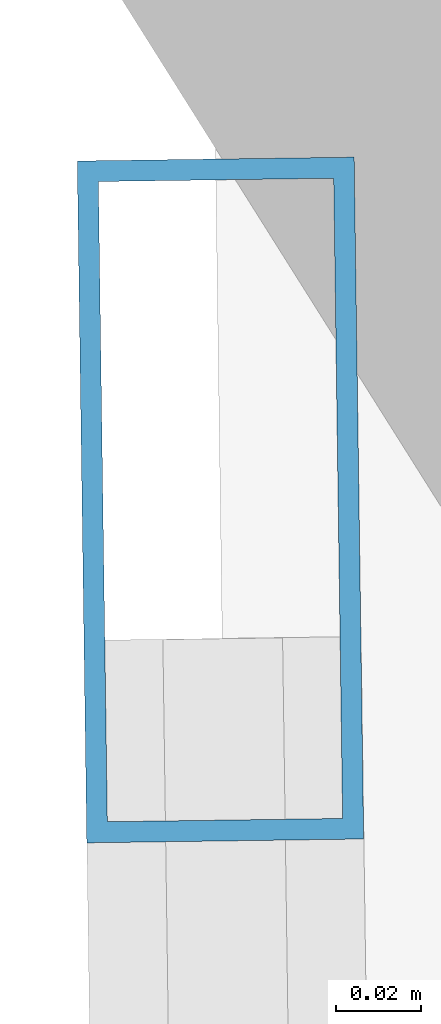
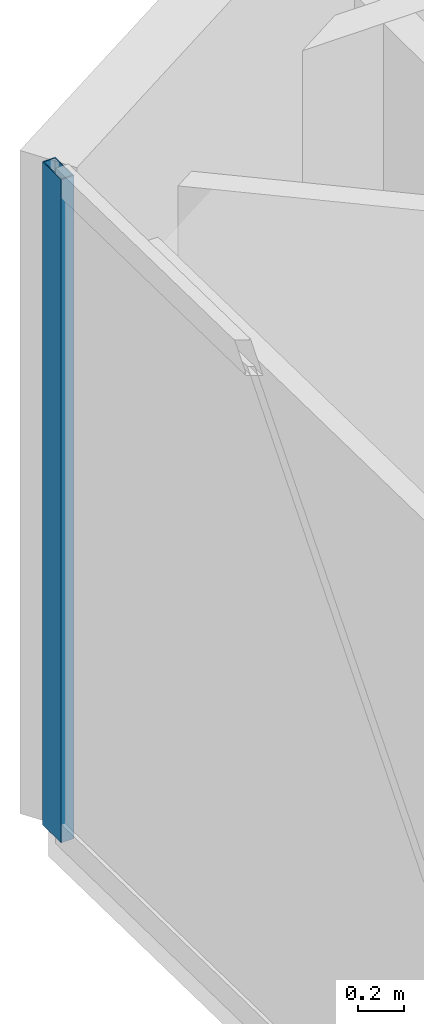
# One storey, part 10 of 20: 1 member, 1 element without a shape of its own.
"""IFC4 building model written with IfcOpenShell, lengths in metres."""

from ifc_helpers import new_model, si_unit, direction, frame, origin, origin_2d, place, context, subcontext, project, spatial, hollow_rectangle, extrude, material, layer, layer_set, material_profile, profile_set, type_object, element, aggregate, save


model = new_model("IFC4")

# Units and contexts
model_context = context("Model", 3, precision=1e-05, world=origin(), true_north=direction((0.0, 1.0)))
body_context = subcontext(model_context, "Body", "Model", "MODEL_VIEW")
ifc_project = project(units=[si_unit("LENGTHUNIT", "METRE"), si_unit("AREAUNIT", "SQUARE_METRE"), si_unit("VOLUMEUNIT", "CUBIC_METRE"), si_unit("PLANEANGLEUNIT", "RADIAN"), si_unit("MASSUNIT", "GRAM", prefix="KILO")], contexts=[model_context])

# Site, building, storey
site_placement = place(None, origin())
site = spatial("IfcSite", under=ifc_project, at=site_placement, CompositionType="ELEMENT")
building_placement = place(site_placement, origin())
building = spatial("IfcBuilding", under=site, at=building_placement, Name="Qianvela Tower", CompositionType="ELEMENT")
storey_placement = place(building_placement, frame((0.0, 0.0, 151.300048828125)))
storey = spatial("IfcBuildingStorey", under=building, at=storey_placement, Name="L38", CompositionType="ELEMENT", Elevation=151.300048828125)

# Curtain wall, member
ifc_material_1 = material(Name="Anodised Architectural Aluminium and Low-E Glass", Category="aluminium")
ifc_layer = layer(ifc_material_1, 0.169921875)
ifc_layer_set = layer_set([ifc_layer], Name="Anodised Architectural Aluminium and Low-E Glass")
curtain_wall_type = type_object("IfcCurtainWallType", Name="CW-COLIV-Z34", PredefinedType="USERDEFINED", material=ifc_layer_set)
curtain_wall_placement = place(storey_placement, origin())
curtain_wall = element("IfcCurtainWall", 1, at=curtain_wall_placement, inside=storey, type_object=curtain_wall_type, Name="L38 CW-COLIV-Z34 Curtain Wall 04A", ObjectType="CURTAIN_WALL_SYSTEM", PredefinedType="USERDEFINED")
ifc_material_2 = material(Name="Anodised Architectural Aluminium 6063-T6", Category="aluminium")
ifc_material_profile = material_profile(ifc_material_2, hollow_rectangle(XDim=0.06494140625, YDim=0.159912109375, WallThickness=0.0048828125, at=origin_2d()), Name="ALU-MULL-65x160")
ifc_profile_set = profile_set([ifc_material_profile], Name="Anodised Architectural Aluminium 6063-T6")
member_type = type_object("IfcMemberType", Name="CW-COLIV-Z34-MULL", PredefinedType="MULLION", material=ifc_profile_set)
member_placement = place(storey_placement, frame((21.440185546875, 38.10546875, 0.0), z_axis=(0.0, 0.0, 1.0), x_axis=(0.999902588043, 0.013957593834, 0.0)))
member = element("IfcMember", 2, at=member_placement, type_object=member_type, Name="CW-4 mullion 1", PredefinedType="MULLION", context=body_context, shape_type="SweptSolid", body=[
    extrude(hollow_rectangle(XDim=0.06494140625, YDim=0.159912109375, WallThickness=0.0048828125, at=origin_2d()), origin(), (0.0, 0.0, 1.0), 3.52001953125),
])
aggregate(curtain_wall, [member])

save(model, "model.ifc")
